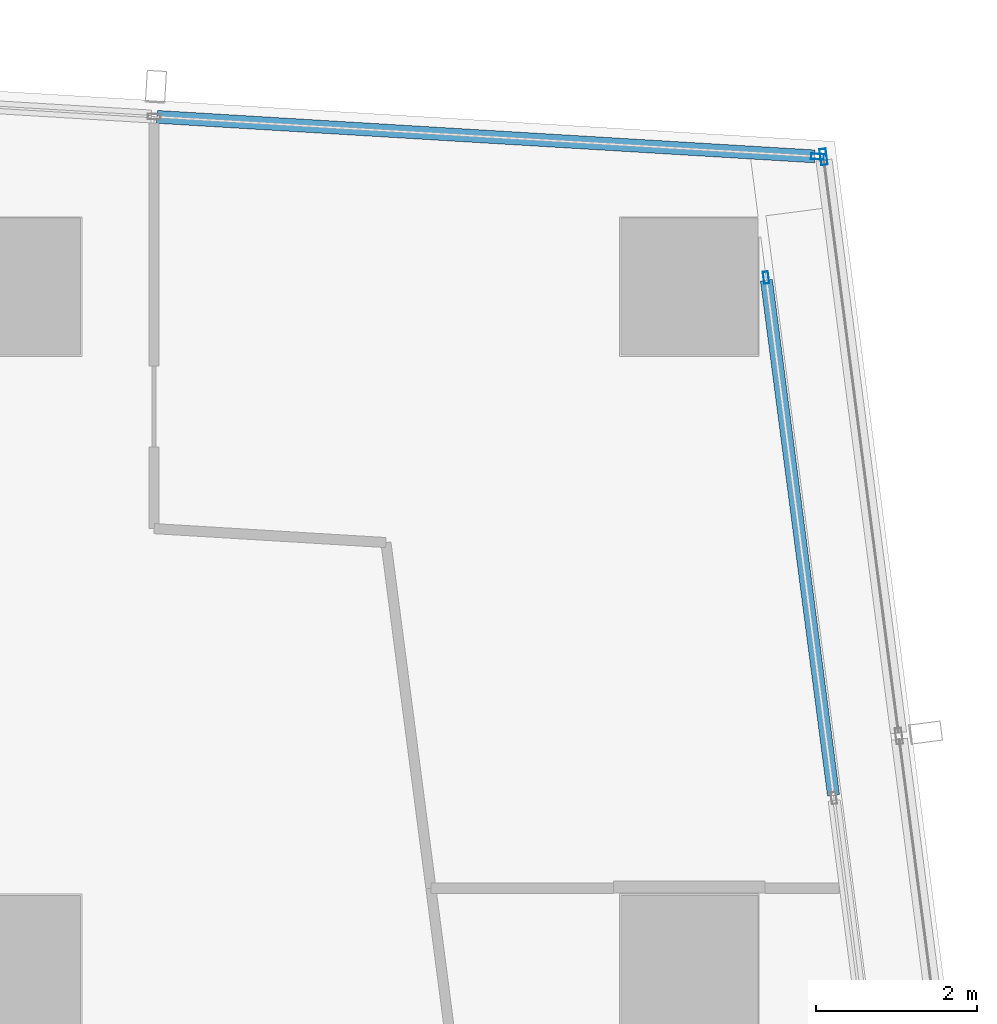
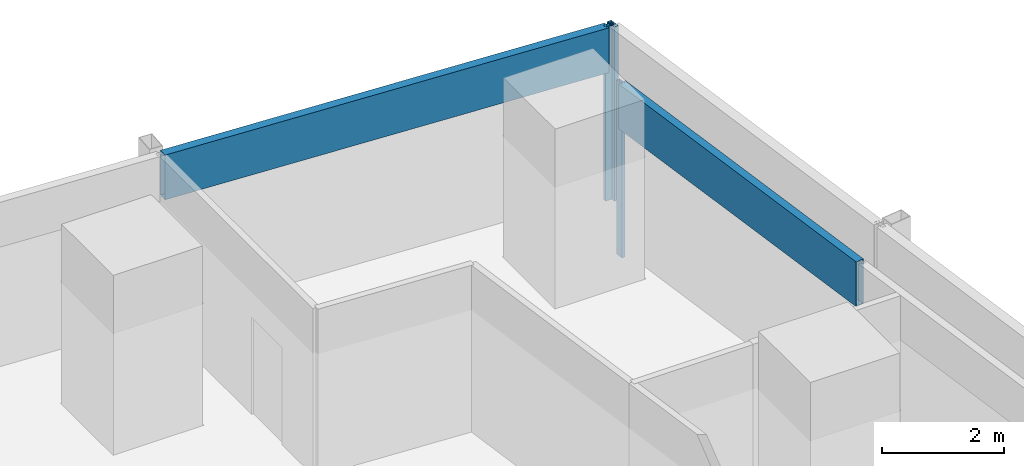
# One storey, part 20 of 40: 5 members, 3 elements without a shape of their own.
"""IFC4 building model written with IfcOpenShell, lengths in metres."""

from ifc_helpers import new_model, si_unit, direction, frame, origin, origin_2d, place, context, subcontext, project, spatial, hollow_rectangle, extrude, material, material_profile, profile_set, type_object, element, aggregate, save


model = new_model("IFC4")

# Units and contexts
model_context = context("Model", 3, precision=1e-05, world=origin(), true_north=direction((0.0, 1.0)))
body_context = subcontext(model_context, "Body", "Model", "MODEL_VIEW")
ifc_project = project(units=[si_unit("LENGTHUNIT", "METRE"), si_unit("AREAUNIT", "SQUARE_METRE"), si_unit("VOLUMEUNIT", "CUBIC_METRE"), si_unit("PLANEANGLEUNIT", "RADIAN"), si_unit("MASSUNIT", "GRAM", prefix="KILO")], contexts=[model_context])

# Site, building, storey
site_placement = place(None, origin())
site = spatial("IfcSite", under=ifc_project, at=site_placement, CompositionType="ELEMENT")
building_placement = place(site_placement, origin())
building = spatial("IfcBuilding", under=site, at=building_placement, Name="Rekha Terrace Tower", CompositionType="ELEMENT")
storey_placement = place(building_placement, frame((0.0, 0.0, 132.800048828125)))
storey = spatial("IfcBuildingStorey", under=building, at=storey_placement, Name="L33", CompositionType="ELEMENT", Elevation=132.800048828125)

# Curtain wall, members
ifc_material_1 = material(Name="Aluminium framing", Category="aluminium")
curtain_wall_type_1 = type_object("IfcCurtainWallType", Name="CW1 double skin inner glazing", PredefinedType="USERDEFINED", material=ifc_material_1)
curtain_wall_1_placement = place(storey_placement, origin())
curtain_wall_1 = element("IfcCurtainWall", 1, at=curtain_wall_1_placement, inside=storey, type_object=curtain_wall_type_1, Name="CW1 double skin inner glazing", ObjectType="DOUBLE SKIN INNER GLAZING", PredefinedType="USERDEFINED")
ifc_material_2 = material(Name="Aluminium mullion section", Category="aluminium")
ifc_material_profile_1 = material_profile(ifc_material_2, hollow_rectangle(XDim=0.06494140625, YDim=0.14990234375, WallThickness=0.00390625, at=origin_2d()), Name="AL RHS 65x150")
ifc_profile_set_1 = profile_set([ifc_material_profile_1], Name="Aluminium mullion section")
member_type_1 = type_object("IfcMemberType", Name="CW1 mullion RHS 65 x 150", PredefinedType="MULLION", material=ifc_profile_set_1)
member_1_placement = place(storey_placement, frame((68.15087890625, 58.910888671875, 0.0), z_axis=(0.0, 0.0, 1.0), x_axis=(-0.991629186237, -0.129118383675, 0.0)))
member_1 = element("IfcMember", 2, at=member_1_placement, type_object=member_type_1, Name="CW1 mullion 3", PredefinedType="MULLION", context=body_context, shape_type="SweptSolid", body=[
    extrude(hollow_rectangle(XDim=0.06494140625, YDim=0.14990234375, WallThickness=0.00390625, at=origin_2d()), origin(), (0.0, 0.0, 1.0), 3.5),
])
ifc_material_3 = material(Name="Insulated aluminium spandrel box", Category="aluminium")
ifc_material_profile_2 = material_profile(ifc_material_3, hollow_rectangle(XDim=0.14990234375, YDim=0.89990234375, WallThickness=0.0029296875, at=origin_2d()), Name="AL SPANDREL BOX 150x900")
ifc_profile_set_2 = profile_set([ifc_material_profile_2], Name="Insulated aluminium spandrel box")
member_type_2 = type_object("IfcMemberType", Name="CW1 spandrel transom 150 x 900", PredefinedType="USERDEFINED", material=ifc_profile_set_2)
member_2_placement = place(storey_placement, frame((68.987060546875, 52.48974609375, 3.050048828125), z_axis=(-0.129102663866, 0.991631232961, 0.0), x_axis=(-0.991631232961, -0.129102663866, 0.0)))
member_2 = element("IfcMember", 3, at=member_2_placement, type_object=member_type_2, Name="CW1 spandrel transom 2", ObjectType="TRANSOM", PredefinedType="USERDEFINED", context=body_context, shape_type="SweptSolid", body=[
    extrude(hollow_rectangle(XDim=0.14990234375, YDim=0.89990234375, WallThickness=0.0029296875, at=origin_2d()), origin(), (0.0, 0.0, 1.0), 6.44287109375),
])
aggregate(curtain_wall_1, [member_1, member_2])

# Curtain wall, member
curtain_wall_type_2 = type_object("IfcCurtainWallType", Name="CW2 double skin outer glazing", PredefinedType="USERDEFINED", material=ifc_material_1)
curtain_wall_2_placement = place(storey_placement, origin())
curtain_wall_2 = element("IfcCurtainWall", 4, at=curtain_wall_2_placement, inside=storey, type_object=curtain_wall_type_2, Name="CW2 double skin outer glazing", ObjectType="DOUBLE SKIN OUTER GLAZING", PredefinedType="USERDEFINED")
ifc_material_profile_3 = material_profile(ifc_material_2, hollow_rectangle(XDim=0.080078125, YDim=0.199951171875, WallThickness=0.00390625, at=origin_2d()), Name="AL RHS 80x200")
ifc_profile_set_3 = profile_set([ifc_material_profile_3], Name="Aluminium mullion section")
member_type_3 = type_object("IfcMemberType", Name="CW2 mullion RHS 80 x 200", PredefinedType="MULLION", material=ifc_profile_set_3)
member_3_placement = place(storey_placement, frame((68.863525390625, 60.408447265625, 0.0), z_axis=(0.0, 0.0, 1.0), x_axis=(-0.991629186244, -0.129118383623, 0.0)))
member_3 = element("IfcMember", 5, at=member_3_placement, type_object=member_type_3, Name="CW2 mullion 3", PredefinedType="MULLION", context=body_context, shape_type="SweptSolid", body=[
    extrude(hollow_rectangle(XDim=0.080078125, YDim=0.199951171875, WallThickness=0.00390625, at=origin_2d()), origin(), (0.0, 0.0, 1.0), 3.5),
])
aggregate(curtain_wall_2, [member_3])

# Curtain wall, members
curtain_wall_type_3 = type_object("IfcCurtainWallType", Name="CW3 north unitised glazing", PredefinedType="USERDEFINED", material=ifc_material_1)
curtain_wall_3_placement = place(storey_placement, origin())
curtain_wall_3 = element("IfcCurtainWall", 6, at=curtain_wall_3_placement, inside=storey, type_object=curtain_wall_type_3, Name="CW3 unitised curtain wall", ObjectType="UNITISED CURTAIN WALL", PredefinedType="USERDEFINED")
ifc_material_profile_4 = material_profile(ifc_material_2, hollow_rectangle(XDim=0.070068359375, YDim=0.159912109375, WallThickness=0.00390625, at=origin_2d()), Name="AL RHS 70x160")
ifc_profile_set_4 = profile_set([ifc_material_profile_4], Name="Aluminium mullion section")
member_type_4 = type_object("IfcMemberType", Name="CW3 mullion RHS 70 x 160", PredefinedType="MULLION", material=ifc_profile_set_4)
member_4_placement = place(storey_placement, frame((68.7880859375, 60.412353515625, 0.0), z_axis=(0.0, 0.0, 1.0), x_axis=(-0.059987926837, -0.998199102701, 0.0)))
member_4 = element("IfcMember", 7, at=member_4_placement, type_object=member_type_4, Name="CW3 mullion 1", PredefinedType="MULLION", context=body_context, shape_type="SweptSolid", body=[
    extrude(hollow_rectangle(XDim=0.070068359375, YDim=0.159912109375, WallThickness=0.00390625, at=origin_2d()), origin(), (0.0, 0.0, 1.0), 3.5),
])
ifc_material_profile_5 = material_profile(ifc_material_3, hollow_rectangle(XDim=0.159912109375, YDim=0.89990234375, WallThickness=0.0029296875, at=origin_2d()), Name="AL SPANDREL BOX 160x900")
ifc_profile_set_5 = profile_set([ifc_material_profile_5], Name="Insulated aluminium spandrel box")
member_type_5 = type_object("IfcMemberType", Name="CW3 spandrel transom 160 x 900", PredefinedType="USERDEFINED", material=ifc_profile_set_5)
member_5_placement = place(storey_placement, frame((68.753173828125, 60.41455078125, 3.050048828125), z_axis=(-0.998198874769, 0.05999171951, 0.0), x_axis=(-0.05999171951, -0.998198874769, 0.0)))
member_5 = element("IfcMember", 8, at=member_5_placement, type_object=member_type_5, Name="CW3 spandrel transom 1", ObjectType="TRANSOM", PredefinedType="USERDEFINED", context=body_context, shape_type="SweptSolid", body=[
    extrude(hollow_rectangle(XDim=0.159912109375, YDim=0.89990234375, WallThickness=0.0029296875, at=origin_2d()), origin(), (0.0, 0.0, 1.0), 8.171630859375),
])
aggregate(curtain_wall_3, [member_4, member_5])

save(model, "model.ifc")
